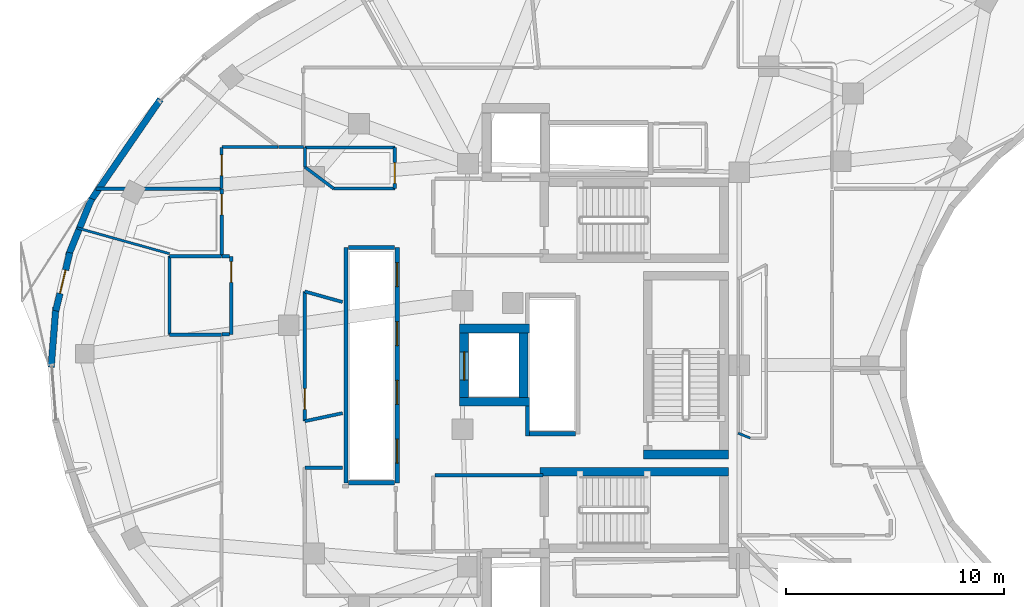
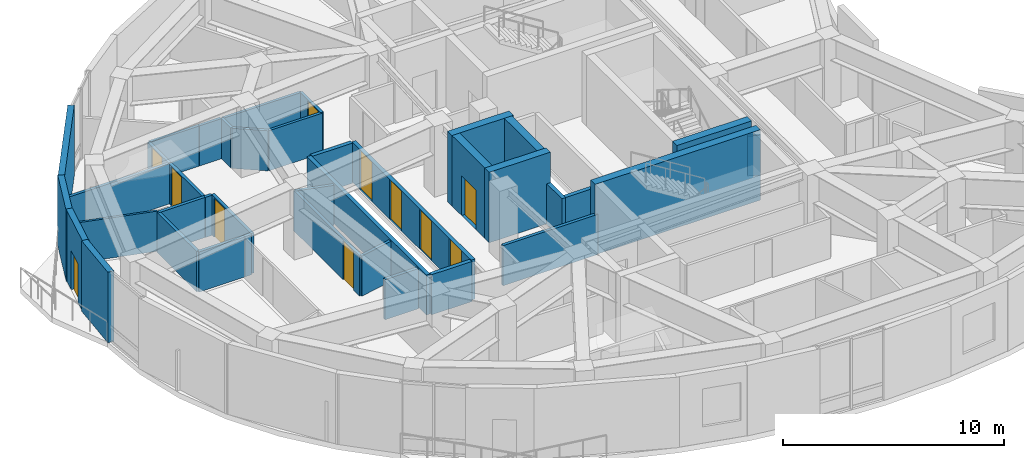
# One storey, part 7 of 13: 39 walls, 11 doors, 11 openings.
"""IFC4 building model written with IfcOpenShell, lengths in metres."""

from ifc_helpers import new_model, si_unit, direction, frame, frame_2d, origin, place, context, subcontext, project, spatial, rectangle, extrude, material, layer, layer_set, type_object, element, fill, save


model = new_model("IFC4")

# Units and contexts
model_context = context("Model", 3, precision=1e-05, world=origin(), true_north=direction((0.0, 1.0)))
body_context = subcontext(model_context, "Body", "Model", "MODEL_VIEW")
ifc_project = project(units=[si_unit("LENGTHUNIT", "METRE"), si_unit("AREAUNIT", "SQUARE_METRE"), si_unit("VOLUMEUNIT", "CUBIC_METRE"), si_unit("PLANEANGLEUNIT", "RADIAN"), si_unit("MASSUNIT", "GRAM", prefix="KILO")], contexts=[model_context])

# Site, building, storey
site_placement = place(None, origin())
site = spatial("IfcSite", under=ifc_project, at=site_placement, CompositionType="ELEMENT")
building_placement = place(site_placement, origin())
building = spatial("IfcBuilding", under=site, at=building_placement, Name="Korentha Bioscience Tower", CompositionType="ELEMENT")
storey_placement = place(building_placement, frame((0.0, 0.0, 256.199951171875)))
storey = spatial("IfcBuildingStorey", under=building, at=storey_placement, Name="L59", CompositionType="ELEMENT", Elevation=256.199951171875)

# Wall, opening, door
ifc_material_1 = material(Name="Double-Stud Acoustic Gypsum", Category="gypsum")
ifc_layer_1 = layer(ifc_material_1, 0.14990234375, Name="Double-Stud Acoustic Gypsum")
ifc_layer_set_1 = layer_set([ifc_layer_1], Name="Double-Stud Acoustic Gypsum (IW-L150)")
wall_type_1 = type_object("IfcWallType", Name="Acoustic Laboratory Partition Wall 150", PredefinedType="PARTITIONING", material=ifc_layer_set_1)
wall_1_placement = place(storey_placement, frame((13.7900390625, 37.0, 0.0), z_axis=(0.0, 0.0, 1.0), x_axis=(0.0, -1.0, 0.0)))
wall_1 = element("IfcWall", 1, at=wall_1_placement, inside=storey, type_object=wall_type_1, Name="L59 Lyophilization Freeze-Drying Room 22 Entrance Wall", PredefinedType="PARTITIONING", context=body_context, shape_type="SweptSolid", body=[
    extrude(rectangle(XDim=1.89794921875, YDim=0.14990234375, at=frame_2d((0.948974609375, 0.0))), origin(), (0.0, 0.0, 1.0), 2.219970703125),
])
opening_1_placement = place(wall_1_placement, frame((0.346923828125, 0.0, 0.0)))
opening_1 = element("IfcOpeningElement", 2, at=opening_1_placement, cuts=wall_1, Name="Opening ID-10L", PredefinedType="OPENING", context=body_context, shape_type="SweptSolid", body=[
    extrude(rectangle(XDim=0.949951171875, YDim=2.14990234375, at=frame_2d((0.47509765625, 1.074951171875))), frame((0.0, 0.08984375, 0.0), z_axis=(0.0, -1.0, 0.0), x_axis=(1.0, 0.0, 0.0)), (0.0, 0.0, 1.0), 0.1796875),
])
ifc_material_2 = material(Name="Phenolic Laminate Timber Core", Category="wood")
door_type_1 = type_object("IfcDoorType", Name="Laboratory Single Leaf Door 950x2150 Left", OperationType="SINGLE_SWING_LEFT", PredefinedType="DOOR", material=ifc_material_2)
door_1_placement = place(opening_1_placement, origin())
door_1 = element("IfcDoor", 3, at=door_1_placement, inside=storey, type_object=door_type_1, Name="L59 Lyophilization Freeze-Drying Room 22 Door", OperationType="SINGLE_SWING_LEFT", OverallHeight=2.14990234375, OverallWidth=0.949951171875, PredefinedType="DOOR", context=body_context, shape_type="SweptSolid", body=[
    extrude(rectangle(XDim=0.949951171875, YDim=2.14990234375, at=frame_2d((0.47509765625, 1.074951171875))), frame((0.0, 0.02490234375, 0.0), z_axis=(0.0, -1.0, 0.0), x_axis=(1.0, 0.0, 0.0)), (0.0, 0.0, 1.0), 0.050048828125),
])
fill(opening_1, door_1)

wall_2_placement = place(storey_placement, frame((17.610107421875, 24.427001953125, 0.0), z_axis=(0.0, 0.0, 1.0), x_axis=(0.0, 1.0, 0.0)))
wall_2 = element("IfcWall", 4, at=wall_2_placement, inside=storey, type_object=wall_type_1, Name="L59 Epidemiology Modelling Studio 24 Entrance Wall", PredefinedType="PARTITIONING", context=body_context, shape_type="SweptSolid", body=[
    extrude(rectangle(XDim=5.95361328125, YDim=0.14990234375, at=frame_2d((2.976806640625, 0.0))), origin(), (0.0, 0.0, 1.0), 2.219970703125),
])
opening_2_placement = place(wall_2_placement, frame((0.544189453125, 0.0, 0.0)))
opening_2 = element("IfcOpeningElement", 5, at=opening_2_placement, cuts=wall_2, Name="Opening ID-10L", PredefinedType="OPENING", context=body_context, shape_type="SweptSolid", body=[
    extrude(rectangle(XDim=0.949951171875, YDim=2.14990234375, at=frame_2d((0.47509765625, 1.074951171875))), frame((0.0, 0.08984375, 0.0), z_axis=(0.0, -1.0, 0.0), x_axis=(1.0, 0.0, 0.0)), (0.0, 0.0, 1.0), 0.1796875),
])
door_2_placement = place(opening_2_placement, origin())
door_2 = element("IfcDoor", 6, at=door_2_placement, inside=storey, type_object=door_type_1, Name="L59 Epidemiology Modelling Studio 24 Door", OperationType="SINGLE_SWING_LEFT", OverallHeight=2.14990234375, OverallWidth=0.949951171875, PredefinedType="DOOR", context=body_context, shape_type="SweptSolid", body=[
    extrude(rectangle(XDim=0.949951171875, YDim=2.14990234375, at=frame_2d((0.47509765625, 1.074951171875))), frame((0.0, 0.02490234375, 0.0), z_axis=(0.0, -1.0, 0.0), x_axis=(1.0, 0.0, 0.0)), (0.0, 0.0, 1.0), 0.050048828125),
])
fill(opening_2, door_2)

# Walls
wall_3_placement = place(storey_placement, frame((17.5400390625, 37.010009765625, 0.0), z_axis=(0.0, 0.0, 1.0), x_axis=(-1.0, 0.0, 0.0)))
element("IfcWall", 7, at=wall_3_placement, inside=storey, type_object=wall_type_1, Name="L59 Interior Partition 086", PredefinedType="PARTITIONING", context=body_context, shape_type="SweptSolid", body=[
    extrude(rectangle(XDim=1.1435546875, YDim=0.14990234375, at=frame_2d((0.57177734375, 0.0))), origin(), (0.0, 0.0, 1.0), 2.219970703125),
])
wall_4_placement = place(storey_placement, frame((16.379638671875, 37.010009765625, 0.0), z_axis=(0.0, 0.0, 1.0), x_axis=(-1.0, 0.0, 0.0)))
element("IfcWall", 8, at=wall_4_placement, inside=storey, type_object=wall_type_1, Name="L59 Interior Partition 092", PredefinedType="PARTITIONING", context=body_context, shape_type="SweptSolid", body=[
    extrude(rectangle(XDim=2.57958984375, YDim=0.14990234375, at=frame_2d((1.289794921875, 0.0))), origin(), (0.0, 0.0, 1.0), 2.219970703125),
])
wall_5_placement = place(storey_placement, frame((13.7900390625, 35.10205078125, 0.0), z_axis=(0.0, 0.0, 1.0), x_axis=(-1.0, 0.0, 0.0)))
element("IfcWall", 9, at=wall_5_placement, inside=storey, type_object=wall_type_1, Name="L59 Interior Partition 093", PredefinedType="PARTITIONING", context=body_context, shape_type="SweptSolid", body=[
    extrude(rectangle(XDim=5.775146484375, YDim=0.14990234375, at=frame_2d((2.8876953125, 0.0))), origin(), (0.0, 0.0, 1.0), 2.219970703125),
])
wall_6_placement = place(storey_placement, frame((19.340087890625, 24.794677734375, 0.0), z_axis=(0.0, 0.0, 1.0), x_axis=(-0.978152535578, -0.207888472845, 0.0)))
element("IfcWall", 10, at=wall_6_placement, inside=storey, type_object=wall_type_1, Name="L59 Interior Partition 094", PredefinedType="PARTITIONING", context=body_context, shape_type="SweptSolid", body=[
    extrude(rectangle(XDim=1.7685546875, YDim=0.14990234375, at=frame_2d((0.88427734375, 0.0))), origin(), (0.0, 0.0, 1.0), 2.219970703125),
])
wall_7_placement = place(storey_placement, frame((17.610107421875, 30.380615234375, 0.0), z_axis=(0.0, 0.0, 1.0), x_axis=(0.963143086718, -0.268989580668, 0.0)))
element("IfcWall", 11, at=wall_7_placement, inside=storey, type_object=wall_type_1, Name="L59 Interior Partition 095", PredefinedType="PARTITIONING", context=body_context, shape_type="SweptSolid", body=[
    extrude(rectangle(XDim=1.796142578125, YDim=0.14990234375, at=frame_2d((0.89794921875, 0.0))), origin(), (0.0, 0.0, 1.0), 2.219970703125),
])

# Wall, opening, door
ifc_material_3 = material(Name="Insulated Aluminium Honeycomb Panel", Category="aluminium")
ifc_layer_2 = layer(ifc_material_3, 0.139892578125, Name="Insulated Aluminium Honeycomb Panel")
ifc_layer_set_2 = layer_set([ifc_layer_2], Name="Insulated Aluminium Honeycomb Panel (IW-F60)")
wall_type_2 = type_object("IfcWallType", Name="Cleanroom Flush Metal Panel Partition 140", PredefinedType="PARTITIONING", material=ifc_layer_set_2)
wall_8_placement = place(storey_placement, frame((21.739990234375, 36.989990234375, 0.0), z_axis=(0.0, 0.0, 1.0), x_axis=(0.0, -1.0, 0.0)))
wall_8 = element("IfcWall", 12, at=wall_8_placement, inside=storey, type_object=wall_type_2, Name="L59 Vaccine Formulation Cleanroom 21 Entrance Wall", PredefinedType="PARTITIONING", context=body_context, shape_type="SweptSolid", body=[
    extrude(rectangle(XDim=1.887939453125, YDim=0.139892578125, at=frame_2d((0.94384765625, 0.0))), origin(), (0.0, 0.0, 1.0), 2.219970703125),
])
opening_3_placement = place(wall_8_placement, frame((0.697998046875, 0.0, 0.0)))
opening_3 = element("IfcOpeningElement", 13, at=opening_3_placement, cuts=wall_8, Name="Opening ID-10R", PredefinedType="OPENING", context=body_context, shape_type="SweptSolid", body=[
    extrude(rectangle(XDim=0.949951171875, YDim=2.14990234375, at=frame_2d((0.47509765625, 1.074951171875))), frame((0.0, 0.0849609375, 0.0), z_axis=(0.0, -1.0, 0.0), x_axis=(1.0, 0.0, 0.0)), (0.0, 0.0, 1.0), 0.169677734375),
])
door_type_2 = type_object("IfcDoorType", Name="Laboratory Single Leaf Door 950x2150 Right", OperationType="SINGLE_SWING_RIGHT", PredefinedType="DOOR", material=ifc_material_2)
door_3_placement = place(opening_3_placement, origin())
door_3 = element("IfcDoor", 14, at=door_3_placement, inside=storey, type_object=door_type_2, Name="L59 Vaccine Formulation Cleanroom 21 Door", OperationType="SINGLE_SWING_RIGHT", OverallHeight=2.14990234375, OverallWidth=0.949951171875, PredefinedType="DOOR", context=body_context, shape_type="SweptSolid", body=[
    extrude(rectangle(XDim=0.949951171875, YDim=2.14990234375, at=frame_2d((0.47509765625, 1.074951171875))), frame((0.0, 0.02490234375, 0.0), z_axis=(0.0, -1.0, 0.0), x_axis=(1.0, 0.0, 0.0)), (0.0, 0.0, 1.0), 0.050048828125),
])
fill(opening_3, door_3)

# Walls
wall_9_placement = place(storey_placement, frame((18.9375, 35.10205078125, 0.0), z_axis=(0.0, 0.0, 1.0), x_axis=(-0.799629226512, 0.600494046689, 0.0)))
element("IfcWall", 15, at=wall_9_placement, inside=storey, type_object=wall_type_2, Name="L59 Interior Partition 088", PredefinedType="PARTITIONING", context=body_context, shape_type="SweptSolid", body=[
    extrude(rectangle(XDim=1.659912109375, YDim=0.139892578125, at=frame_2d((0.830078125, 0.0))), origin(), (0.0, 0.0, 1.0), 2.219970703125),
])
wall_10_placement = place(storey_placement, frame((17.610107421875, 36.098876953125, 0.0), z_axis=(0.0, 0.0, 1.0), x_axis=(0.0, 1.0, 0.0)))
element("IfcWall", 16, at=wall_10_placement, inside=storey, type_object=wall_type_2, Name="L59 Interior Partition 089", PredefinedType="PARTITIONING", context=body_context, shape_type="SweptSolid", body=[
    extrude(rectangle(XDim=0.89111328125, YDim=0.139892578125, at=frame_2d((0.445556640625, 0.0))), origin(), (0.0, 0.0, 1.0), 2.219970703125),
])
wall_11_placement = place(storey_placement, frame((17.610107421875, 36.989990234375, 0.0), z_axis=(0.0, 0.0, 1.0), x_axis=(1.0, 0.0, 0.0)))
element("IfcWall", 17, at=wall_11_placement, inside=storey, type_object=wall_type_2, Name="L59 Interior Partition 090", PredefinedType="PARTITIONING", context=body_context, shape_type="SweptSolid", body=[
    extrude(rectangle(XDim=4.1298828125, YDim=0.139892578125, at=frame_2d((2.06494140625, 0.0))), origin(), (0.0, 0.0, 1.0), 2.219970703125),
])
wall_12_placement = place(storey_placement, frame((21.739990234375, 35.10205078125, 0.0), z_axis=(0.0, 0.0, 1.0), x_axis=(-1.0, 0.0, 0.0)))
element("IfcWall", 18, at=wall_12_placement, inside=storey, type_object=wall_type_2, Name="L59 Interior Partition 091", PredefinedType="PARTITIONING", context=body_context, shape_type="SweptSolid", body=[
    extrude(rectangle(XDim=2.802490234375, YDim=0.139892578125, at=frame_2d((1.4013671875, 0.0))), origin(), (0.0, 0.0, 1.0), 2.219970703125),
])
ifc_material_4 = material(Name="Fire-Rated Framed Glass", Category="glass")
ifc_layer_3 = layer(ifc_material_4, 0.110107421875, Name="Fire-Rated Framed Glass")
ifc_layer_set_3 = layer_set([ifc_layer_3], Name="Fire-Rated Framed Glass (IW-G110)")
wall_type_3 = type_object("IfcWallType", Name="Demountable Glazed Office Partition 110", PredefinedType="MOVABLE", material=ifc_layer_set_3)
wall_13_placement = place(storey_placement, frame((7.148681640625, 33.30126953125, 0.0), z_axis=(0.0, 0.0, 1.0), x_axis=(0.963173983888, -0.268878925842, 0.0)))
element("IfcWall", 19, at=wall_13_placement, inside=storey, type_object=wall_type_3, Name="L59 Interior Partition 035", PredefinedType="MOVABLE", context=body_context, shape_type="SweptSolid", body=[
    extrude(rectangle(XDim=4.413818359375, YDim=0.110107421875, at=frame_2d((2.20703125, 0.0))), origin(), (0.0, 0.0, 1.0), 2.219970703125),
])
wall_14_placement = place(storey_placement, frame((38.058837890625, 23.652099609375, 0.0), z_axis=(0.0, 0.0, 1.0), x_axis=(-0.92791427864, 0.372793631243, 0.0)))
element("IfcWall", 20, at=wall_14_placement, inside=storey, type_object=wall_type_3, Name="L59 Interior Partition 074", PredefinedType="MOVABLE", context=body_context, shape_type="SweptSolid", body=[
    extrude(rectangle(XDim=0.599853515625, YDim=0.110107421875, at=frame_2d((0.2998046875, 0.0))), origin(), (0.0, 0.0, 1.0), 2.219970703125),
])
ifc_material_5 = material(Name="Gypsum-Clad Steel Stud", Category="steel")
ifc_layer_4 = layer(ifc_material_5, 0.159912109375, Name="Gypsum-Clad Steel Stud")
ifc_layer_set_4 = layer_set([ifc_layer_4], Name="Gypsum-Clad Steel Stud (IW-C160)")
wall_type_4 = type_object("IfcWallType", Name="Fire-Rated Corridor Partition Wall 160", PredefinedType="PARTITIONING", material=ifc_layer_set_4)
wall_15_placement = place(storey_placement, frame((23.580078125, 21.949951171875, 0.0), z_axis=(0.0, 0.0, 1.0), x_axis=(1.0, 0.0, 0.0)))
element("IfcWall", 21, at=wall_15_placement, inside=storey, type_object=wall_type_4, Name="L59 Firefighting Lobby Return Wall FFLS-N", PredefinedType="PARTITIONING", context=body_context, shape_type="SweptSolid", body=[
    extrude(rectangle(XDim=4.969970703125, YDim=0.159912109375, at=frame_2d((2.48486328125, 0.0))), origin(), (0.0, 0.0, 1.0), 2.219970703125),
])

# Wall, opening, door
wall_16_placement = place(storey_placement, frame((14.239990234375, 31.989990234375, 0.0), z_axis=(0.0, 0.0, 1.0), x_axis=(0.0, -1.0, 0.0)))
wall_16 = element("IfcWall", 22, at=wall_16_placement, inside=storey, type_object=wall_type_4, Name="L59 Reclaimed Bank-1 North Data Closet Entrance Wall", PredefinedType="PARTITIONING", context=body_context, shape_type="SweptSolid", body=[
    extrude(rectangle(XDim=3.580078125, YDim=0.159912109375, at=frame_2d((1.7900390625, 0.0))), origin(), (0.0, 0.0, 1.0), 2.219970703125),
])
opening_4_placement = place(wall_16_placement, frame((0.239990234375, 0.0, 0.0)))
opening_4 = element("IfcOpeningElement", 23, at=opening_4_placement, cuts=wall_16, Name="Opening ID-10L", PredefinedType="OPENING", context=body_context, shape_type="SweptSolid", body=[
    extrude(rectangle(XDim=0.949951171875, YDim=2.14990234375, at=frame_2d((0.47509765625, 1.074951171875))), frame((0.0, 0.0947265625, 0.0), z_axis=(0.0, -1.0, 0.0), x_axis=(1.0, 0.0, 0.0)), (0.0, 0.0, 1.0), 0.189697265625),
])
door_4_placement = place(opening_4_placement, origin())
door_4 = element("IfcDoor", 24, at=door_4_placement, inside=storey, type_object=door_type_1, Name="L59 Reclaimed Bank-1 North Data Closet Door", OperationType="SINGLE_SWING_LEFT", OverallHeight=2.14990234375, OverallWidth=0.949951171875, PredefinedType="DOOR", context=body_context, shape_type="SweptSolid", body=[
    extrude(rectangle(XDim=0.949951171875, YDim=2.14990234375, at=frame_2d((0.47509765625, 1.074951171875))), frame((0.0, 0.02490234375, 0.0), z_axis=(0.0, -1.0, 0.0), x_axis=(1.0, 0.0, 0.0)), (0.0, 0.0, 1.0), 0.050048828125),
])
fill(opening_4, door_4)

wall_17_placement = place(storey_placement, frame((13.7900390625, 35.092041015625, 0.0), z_axis=(0.0, 0.0, 1.0), x_axis=(0.0, -1.0, 0.0)))
wall_17 = element("IfcWall", 25, at=wall_17_placement, inside=storey, type_object=wall_type_4, Name="L59 Cold-Chain Stability Chamber 23 Entrance Wall", PredefinedType="PARTITIONING", context=body_context, shape_type="SweptSolid", body=[
    extrude(rectangle(XDim=3.08203125, YDim=0.159912109375, at=frame_2d((1.541015625, 0.0))), origin(), (0.0, 0.0, 1.0), 2.219970703125),
])
opening_5_placement = place(wall_17_placement, frame((0.239990234375, 0.0, 0.0)))
opening_5 = element("IfcOpeningElement", 26, at=opening_5_placement, cuts=wall_17, Name="Opening ID-10R", PredefinedType="OPENING", context=body_context, shape_type="SweptSolid", body=[
    extrude(rectangle(XDim=0.949951171875, YDim=2.14990234375, at=frame_2d((0.47509765625, 1.074951171875))), frame((0.0, 0.0947265625, 0.0), z_axis=(0.0, -1.0, 0.0), x_axis=(1.0, 0.0, 0.0)), (0.0, 0.0, 1.0), 0.189697265625),
])
door_5_placement = place(opening_5_placement, origin())
door_5 = element("IfcDoor", 27, at=door_5_placement, inside=storey, type_object=door_type_2, Name="L59 Cold-Chain Stability Chamber 23 Door", OperationType="SINGLE_SWING_RIGHT", OverallHeight=2.14990234375, OverallWidth=0.949951171875, PredefinedType="DOOR", context=body_context, shape_type="SweptSolid", body=[
    extrude(rectangle(XDim=0.949951171875, YDim=2.14990234375, at=frame_2d((0.47509765625, 1.074951171875))), frame((0.0, 0.02490234375, 0.0), z_axis=(0.0, -1.0, 0.0), x_axis=(1.0, 0.0, 0.0)), (0.0, 0.0, 1.0), 0.050048828125),
])
fill(opening_5, door_5)

# Walls
for number, where, z_axis, x_axis, name in (
    (28, (13.800048828125, 31.989990234375, 0.0), (0.0, 0.0, 1.0), (1.0, 0.0, 0.0), "L59 Interior Partition 030"),
    (29, (14.156982421875, 28.409912109375, 0.0), (0.0, 0.0, 1.0), (-1.0, 0.0, 0.0), "L59 Interior Partition 031"),
):
    element("IfcWall", number, at=place(storey_placement, frame(where, z_axis=z_axis, x_axis=x_axis)), inside=storey, type_object=wall_type_4, Name=name, PredefinedType="PARTITIONING", context=body_context, shape_type="SweptSolid", body=[
        extrude(rectangle(XDim=0.35693359375, YDim=0.159912109375, at=frame_2d((0.178466796875, 0.0))), origin(), (0.0, 0.0, 1.0), 2.219970703125),
    ])
wall_18_placement = place(storey_placement, frame((13.7900390625, 28.39990234375, 0.0), z_axis=(0.0, 0.0, 1.0), x_axis=(-1.0, 0.0, 0.0)))
element("IfcWall", 30, at=wall_18_placement, inside=storey, type_object=wall_type_4, Name="L59 Interior Partition 032", PredefinedType="PARTITIONING", context=body_context, shape_type="SweptSolid", body=[
    extrude(rectangle(XDim=2.39013671875, YDim=0.159912109375, at=frame_2d((1.195068359375, 0.0))), origin(), (0.0, 0.0, 1.0), 2.219970703125),
])
wall_19_placement = place(storey_placement, frame((11.39990234375, 28.39990234375, 0.0), z_axis=(0.0, 0.0, 1.0), x_axis=(0.0, 1.0, 0.0)))
element("IfcWall", 31, at=wall_19_placement, inside=storey, type_object=wall_type_4, Name="L59 Interior Partition 033", PredefinedType="PARTITIONING", context=body_context, shape_type="SweptSolid", body=[
    extrude(rectangle(XDim=3.60009765625, YDim=0.159912109375, at=frame_2d((1.800048828125, 0.0))), origin(), (0.0, 0.0, 1.0), 2.219970703125),
])
wall_20_placement = place(storey_placement, frame((11.39990234375, 32.0, 0.0), z_axis=(0.0, 0.0, 1.0), x_axis=(1.0, 0.0, 0.0)))
element("IfcWall", 32, at=wall_20_placement, inside=storey, type_object=wall_type_4, Name="L59 Interior Partition 034", PredefinedType="PARTITIONING", context=body_context, shape_type="SweptSolid", body=[
    extrude(rectangle(XDim=2.39013671875, YDim=0.159912109375, at=frame_2d((1.195068359375, 0.0))), origin(), (0.0, 0.0, 1.0), 2.219970703125),
])
wall_21_placement = place(storey_placement, frame((17.610107421875, 22.298095703125, 0.0), z_axis=(0.0, 0.0, 1.0), x_axis=(1.0, 0.0, 0.0)))
element("IfcWall", 33, at=wall_21_placement, inside=storey, type_object=wall_type_4, Name="L59 Interior Partition 049", PredefinedType="PARTITIONING", context=body_context, shape_type="SweptSolid", body=[
    extrude(rectangle(XDim=1.729736328125, YDim=0.159912109375, at=frame_2d((0.86474609375, 0.0))), origin(), (0.0, 0.0, 1.0), 2.219970703125),
])

# Wall, opening, door
ifc_material_6 = material(Name="Honed Limestone Precast Concrete C40", Category="masonry")
ifc_layer_5 = layer(ifc_material_6, 0.300048828125, Name="Honed Limestone Precast Concrete C40")
ifc_layer_set_5 = layer_set([ifc_layer_5], Name="Honed Limestone Precast Concrete C40 (EW-ST300)")
wall_type_5 = type_object("IfcWallType", Name="Honed Limestone Cavity Spandrel Wall 300", PredefinedType="STANDARD", material=ifc_layer_set_5)
wall_22_placement = place(storey_placement, frame((6.821533203125, 32.163818359375, 0.0), z_axis=(0.0, 0.0, 1.0), x_axis=(-0.233611743884, -0.972329961031, 0.0)))
wall_22 = element("IfcWall", 34, at=wall_22_placement, inside=storey, type_object=wall_type_5, Name="L59 Balcony Threshold Wall 02", PredefinedType="STANDARD", context=body_context, shape_type="SweptSolid", body=[
    extrude(rectangle(XDim=2.745361328125, YDim=0.300048828125, at=frame_2d((1.37255859375, 0.0))), origin(), (0.0, 0.0, 1.0), 3.900146484375),
])
opening_6_placement = place(wall_22_placement, frame((0.82275390625, 0.0, 0.0)))
opening_6 = element("IfcOpeningElement", 35, at=opening_6_placement, cuts=wall_22, Name="Opening BD-11R", PredefinedType="OPENING", context=body_context, shape_type="SweptSolid", body=[
    extrude(rectangle(XDim=1.10009765625, YDim=2.14990234375, at=frame_2d((0.550048828125, 1.074951171875))), frame((0.0, 0.1650390625, 0.0), z_axis=(0.0, -1.0, 0.0), x_axis=(1.0, 0.0, 0.0)), (0.0, 0.0, 1.0), 0.329833984375),
])
ifc_material_7 = material(Name="Thermally Broken Glazed Aluminium", Category="aluminium")
door_type_3 = type_object("IfcDoorType", Name="Balcony Terrace Glazed Door 1100x2150 Right", OperationType="SINGLE_SWING_RIGHT", PredefinedType="DOOR", material=ifc_material_7)
door_6_placement = place(opening_6_placement, origin())
door_6 = element("IfcDoor", 36, at=door_6_placement, inside=storey, type_object=door_type_3, Name="L59 Balcony Access Door 02", OperationType="SINGLE_SWING_RIGHT", OverallHeight=2.14990234375, OverallWidth=1.10009765625, PredefinedType="DOOR", context=body_context, shape_type="SweptSolid", body=[
    extrude(rectangle(XDim=1.10009765625, YDim=2.14990234375, at=frame_2d((0.550048828125, 1.074951171875))), frame((0.0, 0.02490234375, 0.0), z_axis=(0.0, -1.0, 0.0), x_axis=(1.0, 0.0, 0.0)), (0.0, 0.0, 1.0), 0.050048828125),
])
fill(opening_6, door_6)

# Walls
wall_23_placement = place(storey_placement, frame((10.983642578125, 39.2001953125, 0.0), z_axis=(0.0, 0.0, 1.0), x_axis=(-0.566669772846, -0.823945003349, 0.0)))
element("IfcWall", 37, at=wall_23_placement, inside=storey, type_object=wall_type_5, Name="L59 Limestone Perimeter Closure Wall 14", PredefinedType="STANDARD", context=body_context, shape_type="SweptSolid", body=[
    extrude(rectangle(XDim=5.733642578125, YDim=0.300048828125, at=frame_2d((2.86669921875, 0.0))), origin(), (0.0, 0.0, 1.0), 3.900146484375),
])
wall_24_placement = place(storey_placement, frame((7.824462890625, 34.642333984375, 0.0), z_axis=(0.0, 0.0, 1.0), x_axis=(-0.378264258805, -0.925697656101, 0.0)))
element("IfcWall", 38, at=wall_24_placement, inside=storey, type_object=wall_type_5, Name="L59 Limestone Perimeter Closure Wall 16", PredefinedType="STANDARD", context=body_context, shape_type="SweptSolid", body=[
    extrude(rectangle(XDim=2.83740234375, YDim=0.300048828125, at=frame_2d((1.418701171875, 0.0))), origin(), (0.0, 0.0, 1.0), 3.900146484375),
])
wall_25_placement = place(storey_placement, frame((6.184326171875, 29.65869140625, 0.0), z_axis=(0.0, 0.0, 1.0), x_axis=(-0.079045093233, -0.996871041427, 0.0)))
element("IfcWall", 39, at=wall_25_placement, inside=storey, type_object=wall_type_5, Name="L59 Limestone Perimeter Closure Wall 18", PredefinedType="STANDARD", context=body_context, shape_type="SweptSolid", body=[
    extrude(rectangle(XDim=2.758056640625, YDim=0.300048828125, at=frame_2d((1.37890625, 0.0))), origin(), (0.0, 0.0, 1.0), 3.900146484375),
])
ifc_material_8 = material(Name="Autoclaved Aerated Concrete Block C25", Category="concrete")
ifc_layer_6 = layer(ifc_material_8, 0.199951171875, Name="Autoclaved Aerated Concrete Block C25")
ifc_layer_set_6 = layer_set([ifc_layer_6], Name="Autoclaved Aerated Concrete Block C25 (IW-S200)")
wall_type_6 = type_object("IfcWallType", Name="Lift and Riser Shaft Enclosure Wall 200", PredefinedType="PARTITIONING", material=ifc_layer_set_6)
wall_26_placement = place(storey_placement, frame((19.5, 21.60009765625, 0.0), z_axis=(0.0, 0.0, 1.0), x_axis=(0.0, 1.0, 0.0)))
element("IfcWall", 40, at=wall_26_placement, inside=storey, type_object=wall_type_6, Name="L59 Lift Bank MID Shaft Wall -X", PredefinedType="PARTITIONING", context=body_context, shape_type="SweptSolid", body=[
    extrude(rectangle(XDim=10.7998046875, YDim=0.199951171875, at=frame_2d((5.39990234375, 0.0))), origin(), (0.0, 0.0, 1.0), 2.219970703125),
])

# Wall, openings, doors
wall_27_placement = place(storey_placement, frame((21.85009765625, 21.60009765625, 0.0), z_axis=(0.0, 0.0, 1.0), x_axis=(0.0, 1.0, 0.0)))
wall_27 = element("IfcWall", 41, at=wall_27_placement, inside=storey, type_object=wall_type_6, Name="L59 Lift Bank MID Shaft Wall +X", PredefinedType="PARTITIONING", context=body_context, shape_type="SweptSolid", body=[
    extrude(rectangle(XDim=10.7998046875, YDim=0.199951171875, at=frame_2d((5.39990234375, 0.0))), origin(), (0.0, 0.0, 1.0), 2.219970703125),
])
opening_7_placement = place(wall_27_placement, frame((0.89990234375, 0.0, 0.0)))
opening_7 = element("IfcOpeningElement", 42, at=opening_7_placement, cuts=wall_27, Name="Opening LD-11", PredefinedType="OPENING", context=body_context, shape_type="SweptSolid", body=[
    extrude(rectangle(XDim=1.10009765625, YDim=2.199951171875, at=frame_2d((0.550048828125, 1.10009765625))), frame((0.0, 0.11474609375, 0.0), z_axis=(0.0, -1.0, 0.0), x_axis=(1.0, 0.0, 0.0)), (0.0, 0.0, 1.0), 0.229736328125),
])
opening_8_placement = place(wall_27_placement, frame((3.60009765625, 0.0, 0.0)))
opening_8 = element("IfcOpeningElement", 43, at=opening_8_placement, cuts=wall_27, Name="Opening LD-11", PredefinedType="OPENING", context=body_context, shape_type="SweptSolid", body=[
    extrude(rectangle(XDim=1.10009765625, YDim=2.199951171875, at=frame_2d((0.550048828125, 1.10009765625))), frame((0.0, 0.11474609375, 0.0), z_axis=(0.0, -1.0, 0.0), x_axis=(1.0, 0.0, 0.0)), (0.0, 0.0, 1.0), 0.229736328125),
])
opening_9_placement = place(wall_27_placement, frame((6.300048828125, 0.0, 0.0)))
opening_9 = element("IfcOpeningElement", 44, at=opening_9_placement, cuts=wall_27, Name="Opening LD-11", PredefinedType="OPENING", context=body_context, shape_type="SweptSolid", body=[
    extrude(rectangle(XDim=1.10009765625, YDim=2.199951171875, at=frame_2d((0.550048828125, 1.10009765625))), frame((0.0, 0.11474609375, 0.0), z_axis=(0.0, -1.0, 0.0), x_axis=(1.0, 0.0, 0.0)), (0.0, 0.0, 1.0), 0.229736328125),
])
opening_10_placement = place(wall_27_placement, frame((9.0, 0.0, 0.0)))
opening_10 = element("IfcOpeningElement", 45, at=opening_10_placement, cuts=wall_27, Name="Opening LD-11", PredefinedType="OPENING", context=body_context, shape_type="SweptSolid", body=[
    extrude(rectangle(XDim=1.10009765625, YDim=2.199951171875, at=frame_2d((0.550048828125, 1.10009765625))), frame((0.0, 0.11474609375, 0.0), z_axis=(0.0, -1.0, 0.0), x_axis=(1.0, 0.0, 0.0)), (0.0, 0.0, 1.0), 0.229736328125),
])
ifc_material_9 = material(Name="Brushed Stainless Steel 304", Category="steel")
door_type_4 = type_object("IfcDoorType", Name="Passenger Lift Sliding Landing Door 1100x2200", OperationType="DOUBLE_DOOR_SLIDING", PredefinedType="DOOR", material=ifc_material_9)
door_7_placement = place(opening_7_placement, origin())
door_7 = element("IfcDoor", 46, at=door_7_placement, inside=storey, type_object=door_type_4, Name="L59 PL-M1 Sliding Lift Landing Door", OperationType="DOUBLE_DOOR_SLIDING", OverallHeight=2.199951171875, OverallWidth=1.10009765625, PredefinedType="DOOR", context=body_context, shape_type="SweptSolid", body=[
    extrude(rectangle(XDim=1.10009765625, YDim=2.199951171875, at=frame_2d((0.550048828125, 1.10009765625))), frame((0.0, 0.02490234375, 0.0), z_axis=(0.0, -1.0, 0.0), x_axis=(1.0, 0.0, 0.0)), (0.0, 0.0, 1.0), 0.050048828125),
])
fill(opening_7, door_7)
door_8_placement = place(opening_8_placement, origin())
door_8 = element("IfcDoor", 47, at=door_8_placement, inside=storey, type_object=door_type_4, Name="L59 PL-M2 Sliding Lift Landing Door", OperationType="DOUBLE_DOOR_SLIDING", OverallHeight=2.199951171875, OverallWidth=1.10009765625, PredefinedType="DOOR", context=body_context, shape_type="SweptSolid", body=[
    extrude(rectangle(XDim=1.10009765625, YDim=2.199951171875, at=frame_2d((0.550048828125, 1.10009765625))), frame((0.0, 0.02490234375, 0.0), z_axis=(0.0, -1.0, 0.0), x_axis=(1.0, 0.0, 0.0)), (0.0, 0.0, 1.0), 0.050048828125),
])
fill(opening_8, door_8)
door_9_placement = place(opening_9_placement, origin())
door_9 = element("IfcDoor", 48, at=door_9_placement, inside=storey, type_object=door_type_4, Name="L59 PL-M3 Sliding Lift Landing Door", OperationType="DOUBLE_DOOR_SLIDING", OverallHeight=2.199951171875, OverallWidth=1.10009765625, PredefinedType="DOOR", context=body_context, shape_type="SweptSolid", body=[
    extrude(rectangle(XDim=1.10009765625, YDim=2.199951171875, at=frame_2d((0.550048828125, 1.10009765625))), frame((0.0, 0.02490234375, 0.0), z_axis=(0.0, -1.0, 0.0), x_axis=(1.0, 0.0, 0.0)), (0.0, 0.0, 1.0), 0.050048828125),
])
fill(opening_9, door_9)
door_10_placement = place(opening_10_placement, origin())
door_10 = element("IfcDoor", 49, at=door_10_placement, inside=storey, type_object=door_type_4, Name="L59 PL-M4 Sliding Lift Landing Door", OperationType="DOUBLE_DOOR_SLIDING", OverallHeight=2.199951171875, OverallWidth=1.10009765625, PredefinedType="DOOR", context=body_context, shape_type="SweptSolid", body=[
    extrude(rectangle(XDim=1.10009765625, YDim=2.199951171875, at=frame_2d((0.550048828125, 1.10009765625))), frame((0.0, 0.02490234375, 0.0), z_axis=(0.0, -1.0, 0.0), x_axis=(1.0, 0.0, 0.0)), (0.0, 0.0, 1.0), 0.050048828125),
])
fill(opening_10, door_10)

# Walls
for number, where, z_axis, x_axis, name in (
    (50, (19.6201171875, 21.60009765625, 0.0), (0.0, 0.0, 1.0), (1.0, 0.0, 0.0), "L59 Lift Bank MID Shaft Wall -Y"),
    (51, (19.6201171875, 32.39990234375, 0.0), (0.0, 0.0, 1.0), (1.0, 0.0, 0.0), "L59 Lift Bank MID Shaft Wall +Y"),
):
    element("IfcWall", number, at=place(storey_placement, frame(where, z_axis=z_axis, x_axis=x_axis)), inside=storey, type_object=wall_type_6, Name=name, PredefinedType="PARTITIONING", context=body_context, shape_type="SweptSolid", body=[
        extrude(rectangle(XDim=2.10986328125, YDim=0.199951171875, at=frame_2d((1.054931640625, 0.0))), origin(), (0.0, 0.0, 1.0), 2.219970703125),
    ])
wall_28_placement = place(storey_placement, frame((27.830078125, 23.75, 0.0), z_axis=(0.0, 0.0, 1.0), x_axis=(0.0, 1.0, 0.0)))
element("IfcWall", 52, at=wall_28_placement, inside=storey, type_object=wall_type_6, Name="L59 Lift Bank HIGH Shaft Wall -XS", PredefinedType="PARTITIONING", context=body_context, shape_type="SweptSolid", body=[
    extrude(rectangle(XDim=1.365966796875, YDim=0.199951171875, at=frame_2d((0.68310546875, 0.0))), origin(), (0.0, 0.0, 1.0), 2.219970703125),
])
wall_29_placement = place(storey_placement, frame((27.93408203125, 23.85009765625, 0.0), z_axis=(0.0, 0.0, 1.0), x_axis=(1.0, 0.0, 0.0)))
element("IfcWall", 53, at=wall_29_placement, inside=storey, type_object=wall_type_6, Name="L59 Lift Bank HIGH Shaft Wall -Y", PredefinedType="PARTITIONING", context=body_context, shape_type="SweptSolid", body=[
    extrude(rectangle(XDim=2.095947265625, YDim=0.199951171875, at=frame_2d((1.0478515625, 0.0))), origin(), (0.0, 0.0, 1.0), 2.219970703125),
])
ifc_material_10 = material(Name="Concrete C65", Category="concrete")
ifc_layer_7 = layer(ifc_material_10, 0.39990234375, Name="Concrete C65")
ifc_layer_set_7 = layer_set([ifc_layer_7], Name="Concrete C65 (CW-C65)")
wall_type_7 = type_object("IfcWallType", Name="Mid-Rise Core Shear Wall 400", PredefinedType="SHEAR", material=ifc_layer_set_7)
wall_30_placement = place(storey_placement, frame((28.39990234375, 22.10009765625, 0.0), z_axis=(0.0, 0.0, 1.0), x_axis=(1.0, 0.0, 0.0)))
element("IfcWall", 54, at=wall_30_placement, inside=storey, type_object=wall_type_7, Name="L59 Core Shear Wall ST2-N", PredefinedType="SHEAR", context=body_context, shape_type="SweptSolid", body=[
    extrude(rectangle(XDim=8.650146484375, YDim=0.39990234375, at=frame_2d((4.3251953125, 0.0))), origin(), (0.0, 0.0, 1.0), 3.900146484375),
])
wall_31_placement = place(storey_placement, frame((33.14990234375, 22.89990234375, 0.0), z_axis=(0.0, 0.0, 1.0), x_axis=(1.0, 0.0, 0.0)))
element("IfcWall", 55, at=wall_31_placement, inside=storey, type_object=wall_type_7, Name="L59 Core Shear Wall ST3-S", PredefinedType="SHEAR", context=body_context, shape_type="SweptSolid", body=[
    extrude(rectangle(XDim=3.900146484375, YDim=0.39990234375, at=frame_2d((1.9501953125, 0.0))), origin(), (0.0, 0.0, 1.0), 3.900146484375),
])
for number, where, z_axis, x_axis, name in (
    (56, (24.719970703125, 28.679931640625, 0.0), (0.0, 0.0, 1.0), (1.0, 0.0, 0.0), "L59 Core Shear Wall SVL1-N"),
    (57, (24.719970703125, 25.320068359375, 0.0), (0.0, 0.0, 1.0), (1.0, 0.0, 0.0), "L59 Core Shear Wall SVL1-S"),
):
    element("IfcWall", number, at=place(storey_placement, frame(where, z_axis=z_axis, x_axis=x_axis)), inside=storey, type_object=wall_type_7, Name=name, PredefinedType="SHEAR", context=body_context, shape_type="SweptSolid", body=[
        extrude(rectangle(XDim=3.2099609375, YDim=0.39990234375, at=frame_2d((1.60498046875, 0.0))), origin(), (0.0, 0.0, 1.0), 3.900146484375),
    ])

# Wall, opening, door
wall_32_placement = place(storey_placement, frame((24.919921875, 25.52197265625, 0.0), z_axis=(0.0, 0.0, 1.0), x_axis=(0.0, 1.0, 0.0)))
wall_32 = element("IfcWall", 58, at=wall_32_placement, inside=storey, type_object=wall_type_7, Name="L59 Core Shear Wall SVL1-W", PredefinedType="SHEAR", context=body_context, shape_type="SweptSolid", body=[
    extrude(rectangle(XDim=2.9560546875, YDim=0.39990234375, at=frame_2d((1.47802734375, 0.0))), origin(), (0.0, 0.0, 1.0), 3.900146484375),
])
opening_11_placement = place(wall_32_placement, frame((0.7900390625, 0.0, 0.0)))
opening_11 = element("IfcOpeningElement", 59, at=opening_11_placement, cuts=wall_32, Name="Opening LD-13", PredefinedType="OPENING", context=body_context, shape_type="SweptSolid", body=[
    extrude(rectangle(XDim=1.300048828125, YDim=2.199951171875, at=frame_2d((0.64990234375, 1.10009765625))), frame((0.0, 0.21484375, 0.0), z_axis=(0.0, -1.0, 0.0), x_axis=(1.0, 0.0, 0.0)), (0.0, 0.0, 1.0), 0.4296875),
])
ifc_material_11 = material(Name="Brushed Stainless Steel 316", Category="steel")
door_type_5 = type_object("IfcDoorType", Name="Service & Firefighting Lift Landing Door 1300x2300", OperationType="DOUBLE_DOOR_SLIDING", PredefinedType="DOOR", material=ifc_material_11)
door_11_placement = place(opening_11_placement, origin())
door_11 = element("IfcDoor", 60, at=door_11_placement, inside=storey, type_object=door_type_5, Name="L59 SVL-1 Sliding Lift Landing Door", OperationType="DOUBLE_DOOR_SLIDING", OverallHeight=2.199951171875, OverallWidth=1.300048828125, PredefinedType="DOOR", context=body_context, shape_type="SweptSolid", body=[
    extrude(rectangle(XDim=1.300048828125, YDim=2.199951171875, at=frame_2d((0.64990234375, 1.10009765625))), frame((0.0, 0.02490234375, 0.0), z_axis=(0.0, -1.0, 0.0), x_axis=(1.0, 0.0, 0.0)), (0.0, 0.0, 1.0), 0.050048828125),
])
fill(opening_11, door_11)

# Wall
wall_33_placement = place(storey_placement, frame((27.64990234375, 25.52197265625, 0.0), z_axis=(0.0, 0.0, 1.0), x_axis=(0.0, 1.0, 0.0)))
element("IfcWall", 61, at=wall_33_placement, inside=storey, type_object=wall_type_7, Name="L59 Core Shear Wall SVL1-E", PredefinedType="SHEAR", context=body_context, shape_type="SweptSolid", body=[
    extrude(rectangle(XDim=2.9560546875, YDim=0.39990234375, at=frame_2d((1.47802734375, 0.0))), origin(), (0.0, 0.0, 1.0), 3.900146484375),
])

save(model, "model.ifc")
